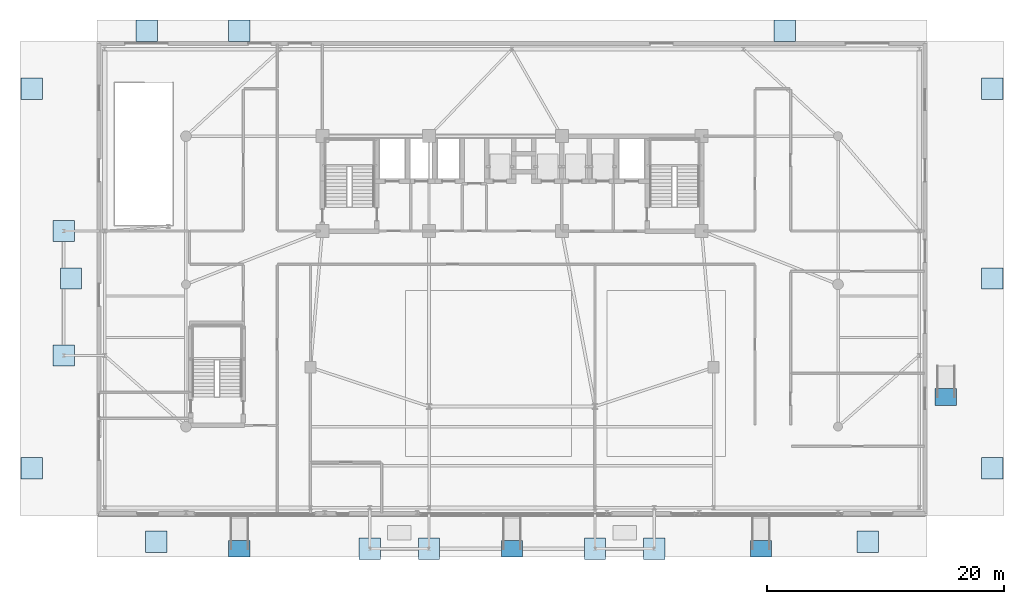
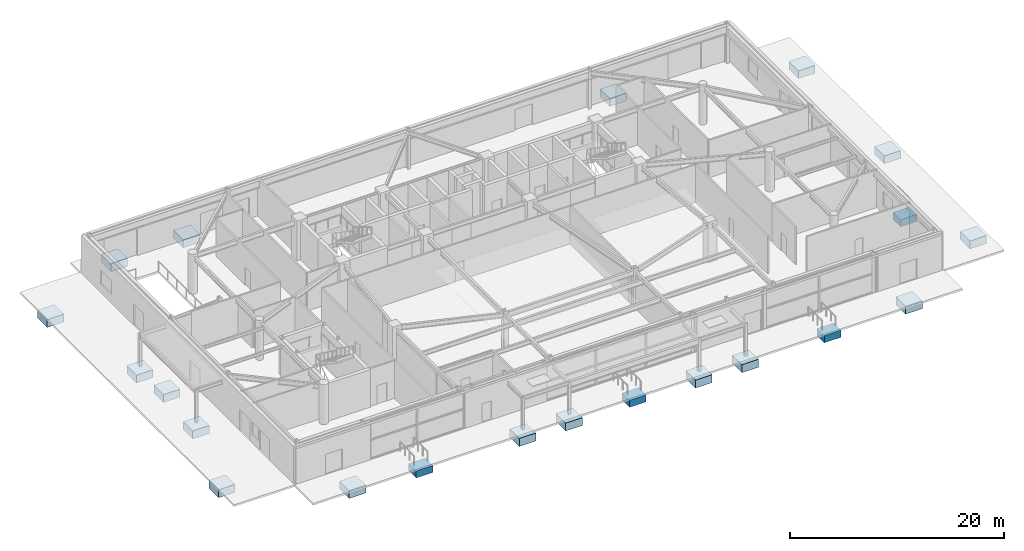
# One storey, part 1 of 29: 21 footings.
"""IFC4 building model written with IfcOpenShell, lengths in metres."""

from ifc_helpers import new_model, si_unit, direction, frame, origin, origin_2d, place, context, subcontext, project, spatial, rectangle, extrude, source, transform, mapped, material, type_object, element, save


model = new_model("IFC4")

# Units and contexts
model_context = context("Model", 3, precision=1e-05, world=origin(), true_north=direction((0.0, 1.0)))
body_context = subcontext(model_context, "Body", "Model", "MODEL_VIEW")
ifc_project = project(units=[si_unit("LENGTHUNIT", "METRE"), si_unit("AREAUNIT", "SQUARE_METRE"), si_unit("VOLUMEUNIT", "CUBIC_METRE"), si_unit("PLANEANGLEUNIT", "RADIAN"), si_unit("MASSUNIT", "GRAM", prefix="KILO")], contexts=[model_context])

# Site, building, storey
site_placement = place(None, origin())
site = spatial("IfcSite", under=ifc_project, at=site_placement, CompositionType="ELEMENT")
building_placement = place(site_placement, origin())
building = spatial("IfcBuilding", under=site, at=building_placement, Name="Taldren Reach Tower", CompositionType="ELEMENT")
storey_placement = place(building_placement, origin())
storey = spatial("IfcBuildingStorey", under=building, at=storey_placement, Name="L00", CompositionType="ELEMENT", Elevation=0.0)

# Footings
ifc_material = material(Name="Concrete S50 (50 MPa)", Category="concrete")
footing_type = type_object("IfcFootingType", Name="FT-PAD-1800", PredefinedType="PAD_FOOTING", material=ifc_material)
shared_shape_1 = source(origin(), body_context, "Body", "SweptSolid", [
    extrude(rectangle(XDim=1.800048828125, YDim=1.800048828125, at=origin_2d()), origin(), (0.0, 0.0, 1.0), 0.89990234375),
])
for number, where, z_axis, x_axis, name in (
    (1, (23.0, -2.800048828125, -1.10986328125), (0.0, 0.0, 1.0), (1.0, 0.0, 0.0), "Grade apron and canopy pad footing FT-CAN-01"),
    (2, (28.0, -2.800048828125, -1.10986328125), (0.0, 0.0, 1.0), (1.0, 0.0, 0.0), "Grade apron and canopy pad footing FT-CAN-02"),
    (3, (42.0, -2.800048828125, -1.10986328125), (0.0, 0.0, 1.0), (1.0, 0.0, 0.0), "Grade apron and canopy pad footing FT-CAN-03"),
    (4, (47.0, -2.800048828125, -1.10986328125), (0.0, 0.0, 1.0), (1.0, 0.0, 0.0), "Grade apron and canopy pad footing FT-CAN-04"),
    (5, (-2.800048828125, 13.5, -1.10986328125), (0.0, 0.0, 1.0), (1.0, 0.0, 0.0), "Grade apron and canopy pad footing FT-CAN-05"),
    (6, (-2.800048828125, 24.0, -1.10986328125), (0.0, 0.0, 1.0), (1.0, 0.0, 0.0), "Grade apron and canopy pad footing FT-CAN-06"),
    (7, (5.0, -2.199951171875, -1.10986328125), (0.0, 0.0, 1.0), (1.0, 0.0, 0.0), "Grade apron and canopy pad footing FT-CAN-07"),
    (8, (65.0, -2.199951171875, -1.10986328125), (0.0, 0.0, 1.0), (1.0, 0.0, 0.0), "Grade apron and canopy pad footing FT-CAN-08"),
    (9, (-5.5, 4.0, -1.10986328125), (0.0, 0.0, 1.0), (1.0, 0.0, 0.0), "Grade apron and canopy pad footing FT-CAN-09"),
    (10, (-5.5, 36.0, -1.10986328125), (0.0, 0.0, 1.0), (1.0, 0.0, 0.0), "Grade apron and canopy pad footing FT-CAN-10"),
    (11, (-2.199951171875, 20.0, -1.10986328125), (0.0, 0.0, 1.0), (1.0, 0.0, 0.0), "Grade apron and canopy pad footing FT-CAN-11"),
    (12, (75.5, 4.0, -1.10986328125), (0.0, 0.0, 1.0), (1.0, 0.0, 0.0), "Grade apron and canopy pad footing FT-CAN-12"),
    (13, (75.5, 20.0, -1.10986328125), (0.0, 0.0, 1.0), (1.0, 0.0, 0.0), "Grade apron and canopy pad footing FT-CAN-13"),
    (14, (75.5, 36.0, -1.10986328125), (0.0, 0.0, 1.0), (1.0, 0.0, 0.0), "Grade apron and canopy pad footing FT-CAN-14"),
    (15, (4.199951171875, 40.89990234375, -1.10986328125), (0.0, 0.0, 1.0), (1.0, 0.0, 0.0), "Grade apron and canopy pad footing FT-CAN-15"),
    (16, (12.0, 40.89990234375, -1.10986328125), (0.0, 0.0, 1.0), (1.0, 0.0, 0.0), "Grade apron and canopy pad footing FT-CAN-16"),
    (17, (58.0, 40.89990234375, -1.10986328125), (0.0, 0.0, 1.0), (1.0, 0.0, 0.0), "Grade apron and canopy pad footing FT-CAN-17"),
):
    element("IfcFooting", number, at=place(storey_placement, frame(where, z_axis=z_axis, x_axis=x_axis)), inside=storey, type_object=footing_type, Name=name, PredefinedType="PAD_FOOTING", context=body_context, shape_type="MappedRepresentation", body=[
        mapped(shared_shape_1, transform((0.0, 0.0, 0.0), scale=1.0)),
    ])
shared_shape_2 = source(origin(), body_context, "Body", "SweptSolid", [
    extrude(rectangle(XDim=1.800048828125, YDim=1.39990234375, at=origin_2d()), origin(), (0.0, 0.0, 1.0), 0.800048828125),
])
for number, where, z_axis, x_axis, name in (
    (18, (12.0, -2.800048828125, -0.97998046875), (0.0, 0.0, 1.0), (1.0, 0.0, 0.0), "Threshold ramp toe footing FT-RMP-1"),
    (19, (35.0, -2.800048828125, -0.97998046875), (0.0, 0.0, 1.0), (1.0, 0.0, 0.0), "Threshold ramp toe footing FT-RMP-2"),
    (20, (56.0, -2.800048828125, -0.97998046875), (0.0, 0.0, 1.0), (1.0, 0.0, 0.0), "Threshold ramp toe footing FT-RMP-3"),
    (21, (71.60009765625, 10.0, -0.97998046875), (0.0, 0.0, 1.0), (1.0, 0.0, 0.0), "Threshold ramp toe footing FT-RMP-4"),
):
    element("IfcFooting", number, at=place(storey_placement, frame(where, z_axis=z_axis, x_axis=x_axis)), inside=storey, type_object=footing_type, Name=name, PredefinedType="PAD_FOOTING", context=body_context, shape_type="MappedRepresentation", body=[
        mapped(shared_shape_2, transform((0.0, 0.0, 0.0), scale=1.0)),
    ])

save(model, "model.ifc")
